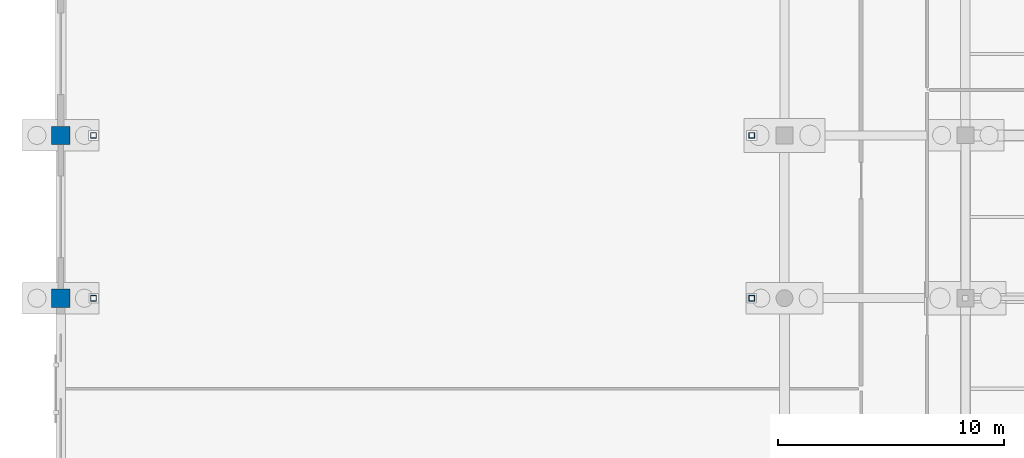
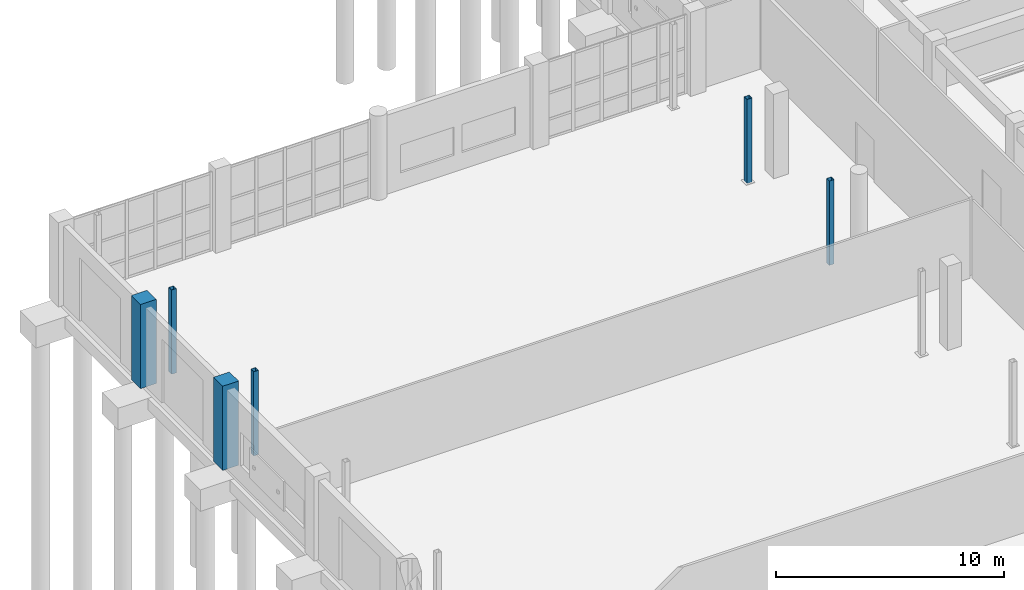
# One storey, part 28 of 166: 6 columns.
"""IFC4 building model written with IfcOpenShell, lengths in metres."""

from ifc_helpers import new_model, si_unit, direction, frame, origin, origin_2d, place, context, subcontext, project, spatial, rectangle, hollow_rectangle, extrude, material, material_profile, profile_set, type_object, element, save


model = new_model("IFC4")

# Units and contexts
model_context = context("Model", 3, precision=1e-05, world=origin(), true_north=direction((0.0, 1.0)))
body_context = subcontext(model_context, "Body", "Model", "MODEL_VIEW")
ifc_project = project(units=[si_unit("LENGTHUNIT", "METRE"), si_unit("AREAUNIT", "SQUARE_METRE"), si_unit("VOLUMEUNIT", "CUBIC_METRE"), si_unit("PLANEANGLEUNIT", "RADIAN"), si_unit("MASSUNIT", "GRAM", prefix="KILO")], contexts=[model_context])

# Site, building, storey
site_placement = place(None, origin())
site = spatial("IfcSite", under=ifc_project, at=site_placement, CompositionType="ELEMENT")
building_placement = place(site_placement, origin())
building = spatial("IfcBuilding", under=site, at=building_placement, Name="Kharva Crest Polytechnic", CompositionType="ELEMENT")
storey_placement = place(building_placement, origin())
storey = spatial("IfcBuildingStorey", under=building, at=storey_placement, Name="L00", CompositionType="ELEMENT", Elevation=0.0)

# Columns
ifc_material_1 = material(Name="Concrete C40/50", Category="concrete")
ifc_material_profile_1 = material_profile(ifc_material_1, rectangle(XDim=0.800048828125, YDim=0.800048828125, at=origin_2d()), Name="RECT 800 X 800")
ifc_profile_set_1 = profile_set([ifc_material_profile_1], Name="Concrete C40/50")
column_type_1 = type_object("IfcColumnType", Name="COL-EXT-800X800", PredefinedType="COLUMN", material=ifc_profile_set_1)
for number, where, z_axis, x_axis, name in (
    (1, (0.0, 78.800048828125, 0.0), (0.0, 0.0, 1.0), (1.0, 0.0, 0.0), "L00 Column 1/L"),
    (2, (0.0, 86.0, 0.0), (0.0, 0.0, 1.0), (1.0, 0.0, 0.0), "L00 Column 1/M"),
):
    element("IfcColumn", number, at=place(storey_placement, frame(where, z_axis=z_axis, x_axis=x_axis)), inside=storey, type_object=column_type_1, Name=name, PredefinedType="COLUMN", context=body_context, shape_type="SweptSolid", body=[
        extrude(rectangle(XDim=0.800048828125, YDim=0.800048828125, at=origin_2d()), origin(), (0.0, 0.0, 1.0), 4.5),
    ])
ifc_material_2 = material(Name="Steel S355", Category="steel")
ifc_material_profile_2 = material_profile(ifc_material_2, hollow_rectangle(XDim=0.25, YDim=0.25, WallThickness=0.010009765625, at=origin_2d()), Name="RHS 250X250X10.0")
ifc_profile_set_2 = profile_set([ifc_material_profile_2], Name="Steel S355")
column_type_2 = type_object("IfcColumnType", Name="COL-STL-RHS250", PredefinedType="COLUMN", material=ifc_profile_set_2)
for number, where, z_axis, x_axis, name in (
    (3, (1.449951171875, 78.800048828125, 0.0), (0.0, 0.0, 1.0), (1.0, 0.0, 0.0), "L00 Crane Column W6"),
    (4, (1.449951171875, 86.0, 0.0), (0.0, 0.0, 1.0), (1.0, 0.0, 0.0), "L00 Crane Column W7"),
    (5, (30.550048828125, 78.800048828125, 0.0), (0.0, 0.0, 1.0), (1.0, 0.0, 0.0), "L00 Crane Column E6"),
    (6, (30.550048828125, 86.0, 0.0), (0.0, 0.0, 1.0), (1.0, 0.0, 0.0), "L00 Crane Column E7"),
):
    element("IfcColumn", number, at=place(storey_placement, frame(where, z_axis=z_axis, x_axis=x_axis)), inside=storey, type_object=column_type_2, Name=name, PredefinedType="COLUMN", context=body_context, shape_type="SweptSolid", body=[
        extrude(hollow_rectangle(XDim=0.25, YDim=0.25, WallThickness=0.010009765625, at=origin_2d()), origin(), (0.0, 0.0, 1.0), 4.5),
    ])

save(model, "model.ifc")
